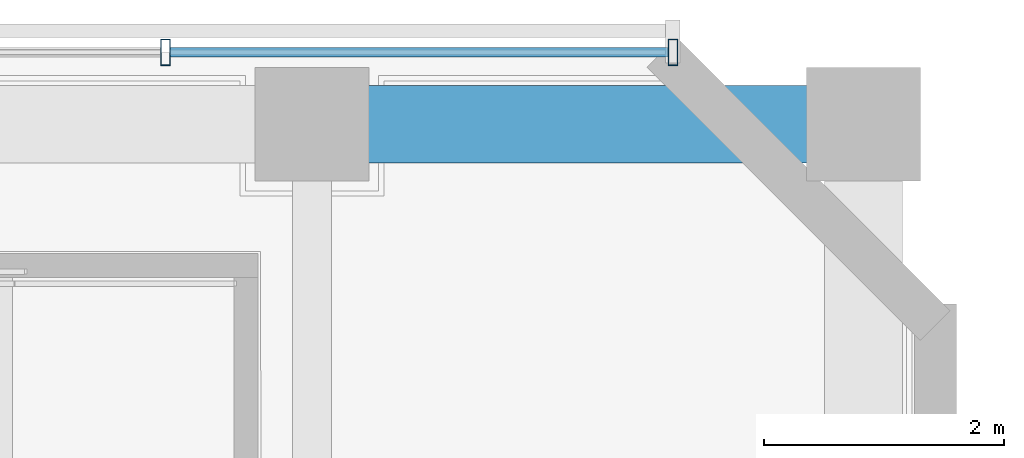
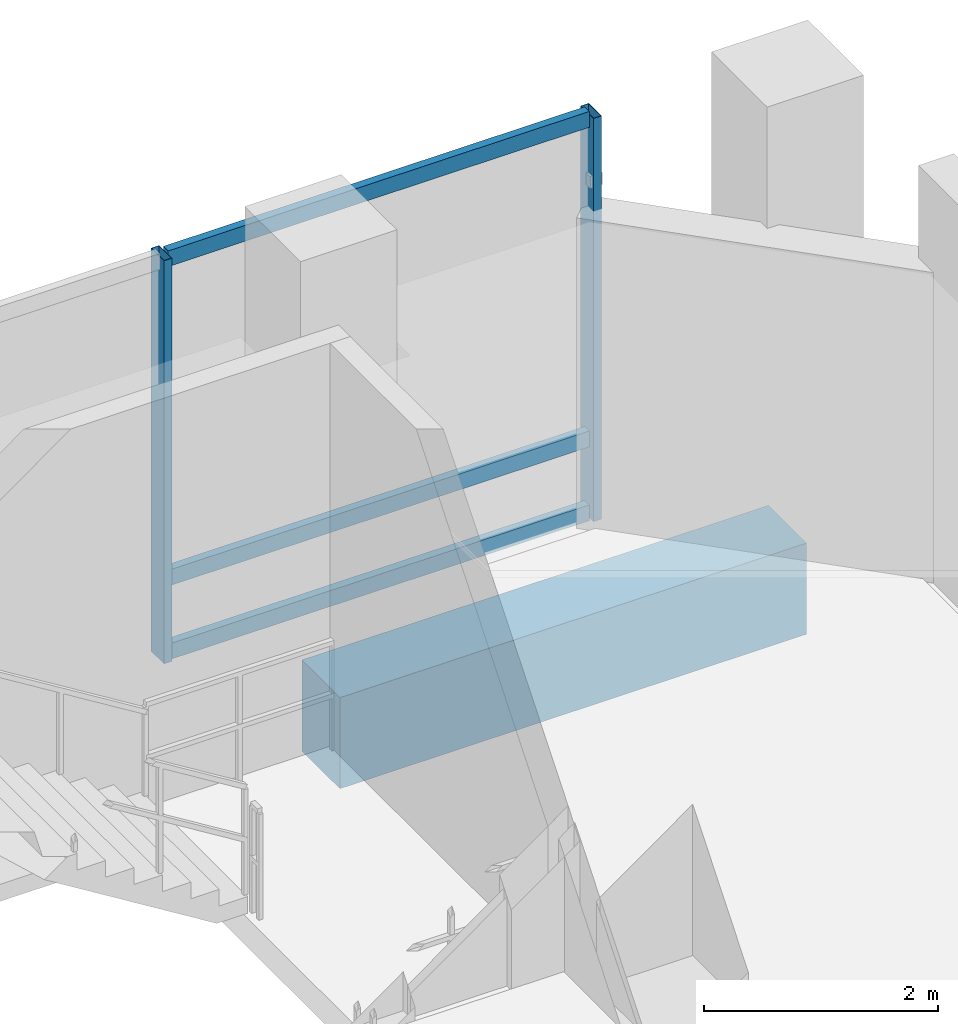
# One storey, part 18 of 36: 5 members, 1 beam, 1 element without a shape of its own.
"""IFC4 building model written with IfcOpenShell, lengths in metres."""

from ifc_helpers import new_model, si_unit, direction, frame, origin, origin_2d, place, context, subcontext, project, spatial, rectangle, hollow_rectangle, extrude, source, transform, mapped, material, material_profile, profile_set, type_object, element, aggregate, save


model = new_model("IFC4")

# Units and contexts
model_context = context("Model", 3, precision=1e-05, world=origin(), true_north=direction((-0.2419218956, 0.970295726276)))
body_context = subcontext(model_context, "Body", "Model", "MODEL_VIEW")
ifc_project = project(units=[si_unit("LENGTHUNIT", "METRE"), si_unit("AREAUNIT", "SQUARE_METRE"), si_unit("VOLUMEUNIT", "CUBIC_METRE"), si_unit("PLANEANGLEUNIT", "RADIAN"), si_unit("MASSUNIT", "GRAM", prefix="KILO")], contexts=[model_context])

# Site, building, storey
site_placement = place(None, origin())
site = spatial("IfcSite", under=ifc_project, at=site_placement, CompositionType="ELEMENT")
building_placement = place(site_placement, origin())
building = spatial("IfcBuilding", under=site, at=building_placement, Name="Cobrevalo Terracotta Tower", CompositionType="ELEMENT")
storey_placement = place(building_placement, frame((0.0, 0.0, 5.39990234375)))
storey = spatial("IfcBuildingStorey", under=building, at=storey_placement, Name="L01", CompositionType="ELEMENT", Elevation=5.39990234375)

# Beam
ifc_material_1 = material(Name="Concrete C50", Category="concrete")
ifc_material_profile_1 = material_profile(ifc_material_1, rectangle(XDim=0.64990234375, YDim=0.949951171875, at=origin_2d()), Name="RC BM 650x950")
ifc_profile_set_1 = profile_set([ifc_material_profile_1], Name="Concrete C50")
beam_type = type_object("IfcBeamType", Name="Structural Spandrel RC BM 650x950 (Concrete C50)", PredefinedType="SPANDREL", material=ifc_profile_set_1)
beam_placement = place(storey_placement, frame((67.0, 50.800048828125, -0.77490234375), z_axis=(1.0, 0.0, 0.0), x_axis=(0.0, 1.0, 0.0)))
element("IfcBeam", 1, at=beam_placement, inside=storey, type_object=beam_type, Name="L01 podium grid beam G8-GG to G9-GG", PredefinedType="SPANDREL", context=body_context, shape_type="SweptSolid", body=[
    extrude(rectangle(XDim=0.64990234375, YDim=0.949951171875, at=origin_2d()), origin(), (0.0, 0.0, 1.0), 4.60009765625),
])

# Curtain wall, members
ifc_material_2 = material(Name="Anodized aluminium", Category="aluminium")
curtain_wall_type = type_object("IfcCurtainWallType", Name="Double-height storefront stick curtain wall CW-S1", PredefinedType="NOTDEFINED", material=ifc_material_2)
curtain_wall_placement = place(storey_placement, origin())
curtain_wall = element("IfcCurtainWall", 2, at=curtain_wall_placement, inside=storey, type_object=curtain_wall_type, Name="L01 curtain wall CW-POD-L01-N", PredefinedType="NOTDEFINED")
ifc_material_profile_2 = material_profile(ifc_material_2, hollow_rectangle(XDim=0.080078125, YDim=0.219970703125, WallThickness=0.0048828125, at=origin_2d()), Name="CWM 80x220")
ifc_profile_set_2 = profile_set([ifc_material_profile_2], Name="Anodized aluminium")
member_type_1 = type_object("IfcMemberType", Name="Storefront & atrium aluminium mullion 80x220", PredefinedType="MULLION", material=ifc_profile_set_2)
shared_shape_1 = source(origin(), body_context, "Body", "SweptSolid", [
    extrude(hollow_rectangle(XDim=0.080078125, YDim=0.219970703125, WallThickness=0.0048828125, at=origin_2d()), origin(), (0.0, 0.0, 1.0), 4.2001953125),
])
member_1_placement = place(storey_placement, frame((70.010009765625, 51.39990234375, 0.0), z_axis=(0.0, 0.0, 1.0), x_axis=(-1.0, 0.0, 0.0)))
member_1 = element("IfcMember", 3, at=member_1_placement, type_object=member_type_1, Name="CW-POD-L01-N vertical mullion 01", PredefinedType="MULLION", context=body_context, shape_type="MappedRepresentation", body=[
    mapped(shared_shape_1, transform((0.0, 0.0, 0.0), scale=1.0)),
])
member_2_placement = place(storey_placement, frame((65.776611328125, 51.39990234375, 0.0), z_axis=(0.0, 0.0, 1.0), x_axis=(-1.0, 0.0, 0.0)))
member_2 = element("IfcMember", 4, at=member_2_placement, type_object=member_type_1, Name="CW-POD-L01-N vertical mullion 02", PredefinedType="MULLION", context=body_context, shape_type="MappedRepresentation", body=[
    mapped(shared_shape_1, transform((0.0, 0.0, 0.0), scale=1.0)),
])
ifc_material_profile_3 = material_profile(ifc_material_2, hollow_rectangle(XDim=0.080078125, YDim=0.1650390625, WallThickness=0.00439453125, at=origin_2d()), Name="CWT 80x165")
ifc_profile_set_3 = profile_set([ifc_material_profile_3], Name="Anodized aluminium")
member_type_2 = type_object("IfcMemberType", Name="Storefront & atrium aluminium transom 80x165", PredefinedType="USERDEFINED", material=ifc_profile_set_3)
shared_shape_2 = source(origin(), body_context, "Body", "SweptSolid", [
    extrude(hollow_rectangle(XDim=0.080078125, YDim=0.1650390625, WallThickness=0.00439453125, at=origin_2d()), origin(), (0.0, 0.0, 1.0), 4.1533203125),
])
member_3_placement = place(storey_placement, frame((69.969970703125, 51.39990234375, 0.050048828125), z_axis=(-1.0, 0.0, 0.0), x_axis=(0.0, -1.0, 0.0)))
member_3 = element("IfcMember", 5, at=member_3_placement, type_object=member_type_2, Name="CW-POD-L01-N transom B01-T1", ObjectType="TRANSOM", PredefinedType="USERDEFINED", context=body_context, shape_type="MappedRepresentation", body=[
    mapped(shared_shape_2, transform((0.0, 0.0, 0.0), scale=1.0)),
])
member_4_placement = place(storey_placement, frame((69.969970703125, 51.39990234375, 0.820068359375), z_axis=(-1.0, 0.0, 0.0), x_axis=(0.0, -1.0, 0.0)))
member_4 = element("IfcMember", 6, at=member_4_placement, type_object=member_type_2, Name="CW-POD-L01-N transom B01-T2", ObjectType="TRANSOM", PredefinedType="USERDEFINED", context=body_context, shape_type="MappedRepresentation", body=[
    mapped(shared_shape_2, transform((0.0, 0.0, 0.0), scale=1.0)),
])
member_5_placement = place(storey_placement, frame((69.969970703125, 51.39990234375, 4.150146484375), z_axis=(-1.0, 0.0, 0.0), x_axis=(0.0, -1.0, 0.0)))
member_5 = element("IfcMember", 7, at=member_5_placement, type_object=member_type_2, Name="CW-POD-L01-N transom B01-T3", ObjectType="TRANSOM", PredefinedType="USERDEFINED", context=body_context, shape_type="MappedRepresentation", body=[
    mapped(shared_shape_2, transform((0.0, 0.0, 0.0), scale=1.0)),
])
aggregate(curtain_wall, [member_1, member_2, member_3, member_4, member_5])

save(model, "model.ifc")
